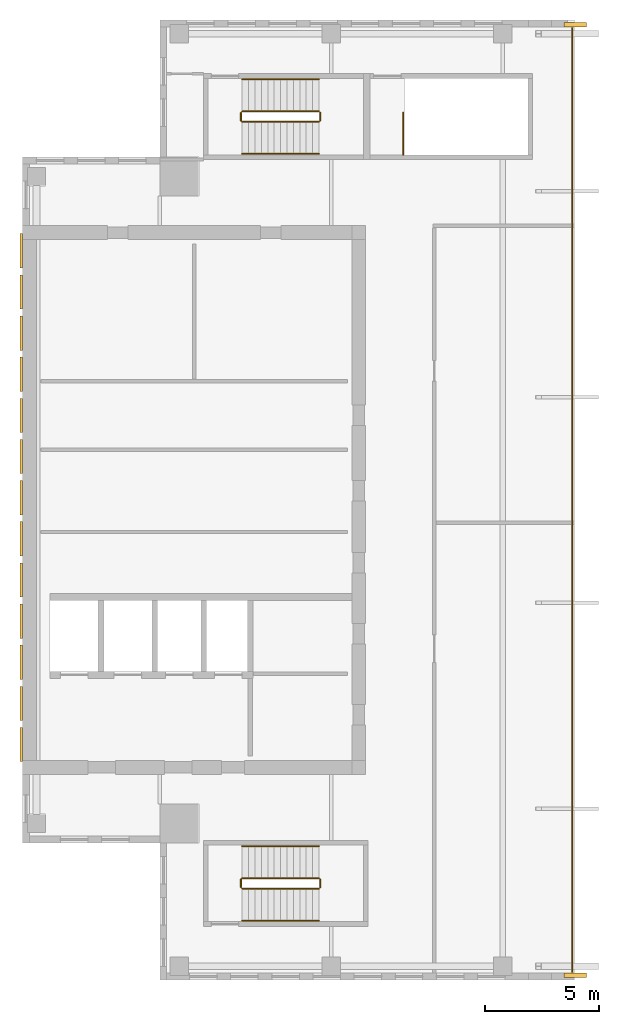
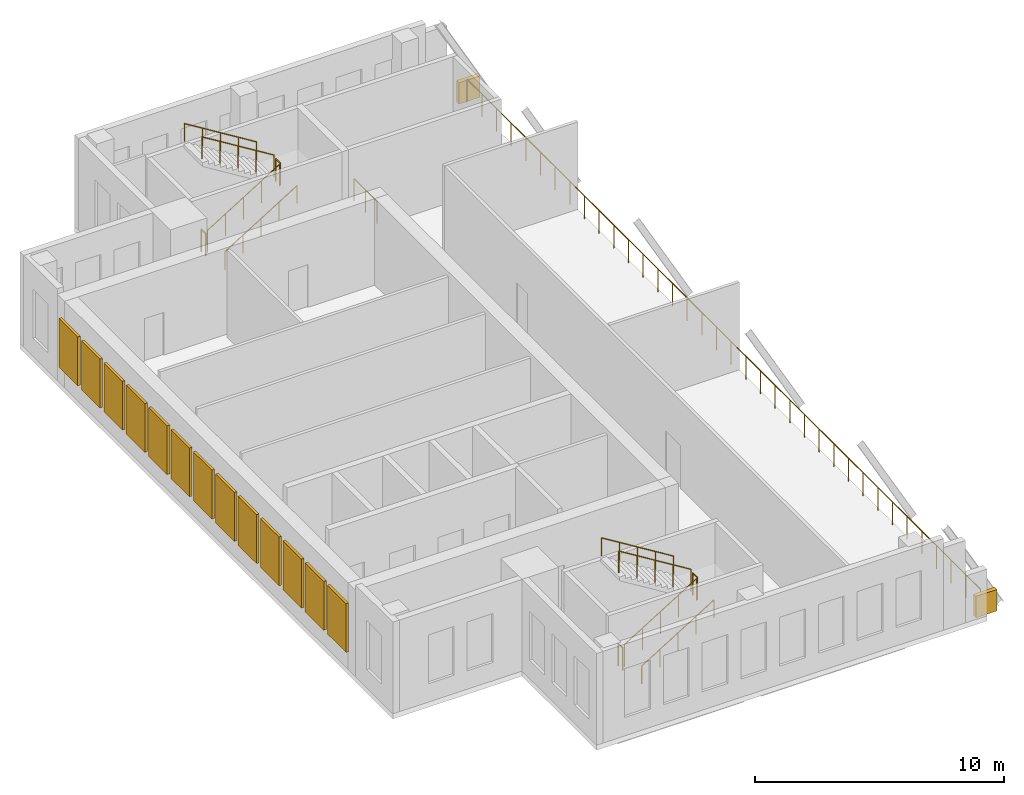
# One storey, part 5 of 5: 20 railings, 15 coverings.
"""IFC4 building model written with IfcOpenShell, lengths in metres."""

from ifc_helpers import new_model, si_unit, direction, frame, origin, origin_2d, place, context, subcontext, project, spatial, polyline, rectangle, circle, outline, extrude, source, transform, mapped, material, layer, layer_set, type_object, element, save


model = new_model("IFC4")

# Units and contexts
model_context = context("Model", 3, precision=1e-05, world=origin(), true_north=direction((0.0, 1.0)))
body_context = subcontext(model_context, "Body", "Model", "MODEL_VIEW")
ifc_project = project(units=[si_unit("LENGTHUNIT", "METRE"), si_unit("AREAUNIT", "SQUARE_METRE"), si_unit("VOLUMEUNIT", "CUBIC_METRE"), si_unit("PLANEANGLEUNIT", "RADIAN"), si_unit("MASSUNIT", "GRAM", prefix="KILO")], contexts=[model_context])

# Site, building, storey
site_placement = place(None, origin())
site = spatial("IfcSite", under=ifc_project, at=site_placement, CompositionType="ELEMENT")
building_placement = place(site_placement, origin())
building = spatial("IfcBuilding", under=site, at=building_placement, Name="Khomas Fold Tower", CompositionType="ELEMENT")
storey_placement = place(building_placement, frame((0.0, 0.0, 343.699951171875)))
storey = spatial("IfcBuildingStorey", under=building, at=storey_placement, Name="C4", CompositionType="ELEMENT", Elevation=343.699951171875)

# Coverings
ifc_material_1 = material(Name="Natural stone cladding", Category="masonry")
ifc_layer_1 = layer(ifc_material_1, 0.031982421875)
ifc_layer_set_1 = layer_set([ifc_layer_1], Name="Natural stone cladding")
covering_type_1 = type_object("IfcCoveringType", Name="Crown spandrel panel CR-SP", PredefinedType="CLADDING", material=ifc_layer_set_1)
for number, where, z_axis, x_axis, name in (
    (1, (29.679931640625, 6.10009765625, 0.0), (0.0, -1.0, 0.0), (1.0, 0.0, 0.0), "Crown eave fascia"),
    (2, (30.662353515625, 47.89990234375, 0.0), (0.0, 1.0, 0.0), (-1.0, 0.0, 0.0), "Crown eave fascia"),
):
    element("IfcCovering", number, at=place(storey_placement, frame(where, z_axis=z_axis, x_axis=x_axis)), inside=storey, type_object=covering_type_1, Name=name, PredefinedType="CLADDING", context=body_context, shape_type="SweptSolid", body=[
        extrude(outline(polyline([(0.0, 0.0), (0.982421875, 0.0), (0.982421875, 1.050048828125), (0.0, 1.050048828125), (0.0, 0.0)])), origin(), (0.0, 0.0, -1.0), 0.199951171875),
    ])
ifc_material_2 = material(Name="Aluminium louvre", Category="aluminium")
ifc_layer_2 = layer(ifc_material_2, 0.1201171875)
ifc_layer_set_2 = layer_set([ifc_layer_2], Name="Aluminium louvre")
covering_type_2 = type_object("IfcCoveringType", Name="Crown louvre screen CR-LS", PredefinedType="CLADDING", material=ifc_layer_set_2)
shared_shape_1 = source(origin(), body_context, "Body", "SweptSolid", [
    extrude(rectangle(XDim=1.5, YDim=0.1201171875, at=origin_2d()), origin(), (0.0, 0.0, 1.0), 2.39990234375),
])
for number, where, z_axis, x_axis, name in (
    (3, (5.93994140625, 37.900146484375, 0.900146484375), (0.0, 0.0, 1.0), (0.0, -1.0, 0.0), "Crown louvre screen"),
    (4, (5.93994140625, 36.10009765625, 0.900146484375), (0.0, 0.0, 1.0), (0.0, -1.0, 0.0), "Crown louvre screen"),
    (5, (5.93994140625, 34.300048828125, 0.900146484375), (0.0, 0.0, 1.0), (0.0, -1.0, 0.0), "Crown louvre screen"),
    (6, (5.93994140625, 32.5, 0.900146484375), (0.0, 0.0, 1.0), (0.0, -1.0, 0.0), "Crown louvre screen"),
    (7, (5.93994140625, 30.7001953125, 0.900146484375), (0.0, 0.0, 1.0), (0.0, -1.0, 0.0), "Crown louvre screen"),
    (8, (5.93994140625, 28.900146484375, 0.900146484375), (0.0, 0.0, 1.0), (0.0, -1.0, 0.0), "Crown louvre screen"),
    (9, (5.93994140625, 27.10009765625, 0.900146484375), (0.0, 0.0, 1.0), (0.0, -1.0, 0.0), "Crown louvre screen"),
    (10, (5.93994140625, 25.300048828125, 0.900146484375), (0.0, 0.0, 1.0), (0.0, -1.0, 0.0), "Crown louvre screen"),
    (11, (5.93994140625, 23.5, 0.900146484375), (0.0, 0.0, 1.0), (0.0, -1.0, 0.0), "Crown louvre screen"),
    (12, (5.93994140625, 21.7001953125, 0.900146484375), (0.0, 0.0, 1.0), (0.0, -1.0, 0.0), "Crown louvre screen"),
    (13, (5.93994140625, 19.900146484375, 0.900146484375), (0.0, 0.0, 1.0), (0.0, -1.0, 0.0), "Crown louvre screen"),
    (14, (5.93994140625, 18.10009765625, 0.900146484375), (0.0, 0.0, 1.0), (0.0, -1.0, 0.0), "Crown louvre screen"),
    (15, (5.93994140625, 16.300048828125, 0.900146484375), (0.0, 0.0, 1.0), (0.0, -1.0, 0.0), "Crown louvre screen"),
):
    element("IfcCovering", number, at=place(storey_placement, frame(where, z_axis=z_axis, x_axis=x_axis)), inside=storey, type_object=covering_type_2, Name=name, PredefinedType="CLADDING", context=body_context, shape_type="MappedRepresentation", body=[
        mapped(shared_shape_1, transform((0.0, 0.0, 0.0))),
    ])

# Railings
ifc_material_3 = material(Name="Powder-coated steel", Category="steel")
railing_type_1 = type_object("IfcRailingType", Name="Balcony guard", PredefinedType="GUARDRAIL", material=ifc_material_3)
shared_shape_2 = source(origin(), body_context, "Body", "SweptSolid", [
    extrude(circle(Radius=0.02490234375, at=origin_2d()), frame((0.0, 0.0, 1.125), z_axis=(0.0, 1.0, 0.0), x_axis=(-1.0, 0.0, 0.0)), (0.0, 0.0, 1.0), 5.89990234375),
    extrude(circle(Radius=0.02001953125, at=origin_2d()), origin(), (0.0, 0.0, 1.0), 1.099853515625),
    extrude(circle(Radius=0.02001953125, at=origin_2d()), frame((0.0, 1.179931640625, 0.0)), (0.0, 0.0, 1.0), 1.099853515625),
    extrude(circle(Radius=0.02001953125, at=origin_2d()), frame((0.0, 2.35986328125, 0.0)), (0.0, 0.0, 1.0), 1.099853515625),
    extrude(circle(Radius=0.02001953125, at=origin_2d()), frame((0.0, 3.5400390625, 0.0)), (0.0, 0.0, 1.0), 1.099853515625),
    extrude(circle(Radius=0.02001953125, at=origin_2d()), frame((0.0, 4.719970703125, 0.0)), (0.0, 0.0, 1.0), 1.099853515625),
    extrude(circle(Radius=0.02001953125, at=origin_2d()), frame((0.0, 5.89990234375, 0.0)), (0.0, 0.0, 1.0), 1.099853515625),
])
for number, where, name in (
    (16, (30.038330078125, 6.35009765625, 0.0), "GUARD 231"),
    (17, (30.038330078125, 12.25, 0.0), "GUARD 231"),
    (18, (30.038330078125, 24.050048828125, 0.0), "GUARD 231"),
    (19, (30.038330078125, 35.85009765625, 0.0), "GUARD 231"),
    (20, (30.038330078125, 41.75, 0.0), "GUARD 231"),
):
    element("IfcRailing", number, at=place(storey_placement, frame(where)), inside=storey, type_object=railing_type_1, Name=name, PredefinedType="GUARDRAIL", context=body_context, shape_type="MappedRepresentation", body=[
        mapped(shared_shape_2, transform((0.0, 0.0, 0.0))),
    ])
shared_shape_3 = source(origin(), body_context, "Body", "SweptSolid", [
    extrude(circle(Radius=0.02490234375, at=origin_2d()), frame((0.0, 0.0, 1.125), z_axis=(0.0, 1.0, 0.0), x_axis=(-1.0, 0.0, 0.0)), (0.0, 0.0, 1.0), 5.900146484375),
    extrude(circle(Radius=0.02001953125, at=origin_2d()), origin(), (0.0, 0.0, 1.0), 1.099853515625),
    extrude(circle(Radius=0.02001953125, at=origin_2d()), frame((0.0, 1.179931640625, 0.0)), (0.0, 0.0, 1.0), 1.099853515625),
    extrude(circle(Radius=0.02001953125, at=origin_2d()), frame((0.0, 2.360107421875, 0.0)), (0.0, 0.0, 1.0), 1.099853515625),
    extrude(circle(Radius=0.02001953125, at=origin_2d()), frame((0.0, 3.5400390625, 0.0)), (0.0, 0.0, 1.0), 1.099853515625),
    extrude(circle(Radius=0.02001953125, at=origin_2d()), frame((0.0, 4.72021484375, 0.0)), (0.0, 0.0, 1.0), 1.099853515625),
    extrude(circle(Radius=0.02001953125, at=origin_2d()), frame((0.0, 5.900146484375, 0.0)), (0.0, 0.0, 1.0), 1.099853515625),
])
for number, where, name in (
    (21, (30.038330078125, 18.14990234375, 0.0), "GUARD 231"),
    (22, (30.038330078125, 29.949951171875, 0.0), "GUARD 231"),
):
    element("IfcRailing", number, at=place(storey_placement, frame(where)), inside=storey, type_object=railing_type_1, Name=name, PredefinedType="GUARDRAIL", context=body_context, shape_type="MappedRepresentation", body=[
        mapped(shared_shape_3, transform((0.0, 0.0, 0.0))),
    ])
ifc_material_4 = material(Name="Steel balustrade", Category="steel")
railing_type_2 = type_object("IfcRailingType", Name="Stair guard", PredefinedType="GUARDRAIL", material=ifc_material_4)
shared_shape_4 = source(origin(), body_context, "Body", "SweptSolid", [
    extrude(circle(Radius=0.02392578125, at=origin_2d()), frame((0.0, 0.0, 1.076171875), z_axis=(0.850606129759, 0.0, 0.525803396734), x_axis=(0.0, 1.0, 0.0)), (0.0, 0.0, 1.0), 3.949951171875),
    extrude(circle(Radius=0.02099609375, at=origin_2d()), origin(), (0.0, 0.0, 1.0), 1.052001953125),
    extrude(circle(Radius=0.02099609375, at=origin_2d()), frame((0.83984375, 0.0, 0.519287109375)), (0.0, 0.0, 1.0), 1.052001953125),
    extrude(circle(Radius=0.02099609375, at=origin_2d()), frame((1.679931640625, 0.0, 1.03857421875)), (0.0, 0.0, 1.0), 1.052001953125),
    extrude(circle(Radius=0.02099609375, at=origin_2d()), frame((2.52001953125, 0.0, 1.5576171875)), (0.0, 0.0, 1.0), 1.052001953125),
    extrude(circle(Radius=0.02099609375, at=origin_2d()), frame((3.35986328125, 0.0, 2.076904296875)), (0.0, 0.0, 1.0), 1.052001953125),
])
for number, where, name in (
    (23, (15.60009765625, 43.550048828125, 0.173095703125), "C4 ST1 stair guard 1"),
    (24, (15.60009765625, 10.0, 0.173095703125), "C4 ST2 stair guard 1"),
):
    element("IfcRailing", number, at=place(storey_placement, frame(where)), inside=storey, type_object=railing_type_2, Name=name, PredefinedType="GUARDRAIL", context=body_context, shape_type="MappedRepresentation", body=[
        mapped(shared_shape_4, transform((0.0, 0.0, 0.0))),
    ])
shared_shape_5 = source(origin(), body_context, "Body", "SweptSolid", [
    extrude(circle(Radius=0.02392578125, at=origin_2d()), frame((0.0, 0.0, 1.076171875), z_axis=(0.0, 1.0, 0.0), x_axis=(-1.0, 0.0, 0.0)), (0.0, 0.0, 1.0), 0.349853515625),
    extrude(circle(Radius=0.02099609375, at=origin_2d()), origin(), (0.0, 0.0, 1.0), 1.052001953125),
    extrude(circle(Radius=0.02099609375, at=origin_2d()), frame((0.0, 0.349853515625, 0.0)), (0.0, 0.0, 1.0), 1.052001953125),
])
for number, where, name in (
    (25, (19.010009765625, 43.60009765625, 2.25), "C4 ST1 stair guard 2"),
    (26, (15.550048828125, 43.60009765625, 0.0), "C4 ST1 stair guard 4"),
    (27, (19.010009765625, 10.050048828125, 2.25), "C4 ST2 stair guard 2"),
    (28, (15.550048828125, 10.050048828125, 0.0), "C4 ST2 stair guard 4"),
):
    element("IfcRailing", number, at=place(storey_placement, frame(where)), inside=storey, type_object=railing_type_2, Name=name, PredefinedType="GUARDRAIL", context=body_context, shape_type="MappedRepresentation", body=[
        mapped(shared_shape_5, transform((0.0, 0.0, 0.0))),
    ])
shared_shape_6 = source(origin(), body_context, "Body", "SweptSolid", [
    extrude(circle(Radius=0.02392578125, at=origin_2d()), frame((0.0, 0.0, 1.076171875), z_axis=(-0.850606129759, 0.0, 0.525803396734), x_axis=(0.0, -1.0, 0.0)), (0.0, 0.0, 1.0), 3.949951171875),
    extrude(circle(Radius=0.02099609375, at=origin_2d()), origin(), (0.0, 0.0, 1.0), 1.052001953125),
    extrude(circle(Radius=0.02099609375, at=origin_2d()), frame((-0.83984375, 0.0, 0.519287109375)), (0.0, 0.0, 1.0), 1.052001953125),
    extrude(circle(Radius=0.02099609375, at=origin_2d()), frame((-1.679931640625, 0.0, 1.03857421875)), (0.0, 0.0, 1.0), 1.052001953125),
    extrude(circle(Radius=0.02099609375, at=origin_2d()), frame((-2.52001953125, 0.0, 1.5576171875)), (0.0, 0.0, 1.0), 1.052001953125),
    extrude(circle(Radius=0.02099609375, at=origin_2d()), frame((-3.35986328125, 0.0, 2.076904296875)), (0.0, 0.0, 1.0), 1.052001953125),
])
for number, where, name in (
    (29, (18.9599609375, 44.0, 2.423095703125), "C4 ST1 stair guard 3"),
    (30, (18.9599609375, 10.449951171875, 2.423095703125), "C4 ST2 stair guard 3"),
):
    element("IfcRailing", number, at=place(storey_placement, frame(where)), inside=storey, type_object=railing_type_2, Name=name, PredefinedType="GUARDRAIL", context=body_context, shape_type="MappedRepresentation", body=[
        mapped(shared_shape_6, transform((0.0, 0.0, 0.0))),
    ])
ifc_material_5 = material(Name="Steel handrail", Category="steel")
railing_type_3 = type_object("IfcRailingType", Name="Stair handrail", PredefinedType="HANDRAIL", material=ifc_material_5)
shared_shape_7 = source(origin(), body_context, "Body", "SweptSolid", [
    extrude(circle(Radius=0.02392578125, at=origin_2d()), frame((0.0, 0.0, 0.8759765625), z_axis=(0.850606129759, 0.0, 0.525803396734), x_axis=(0.0, 1.0, 0.0)), (0.0, 0.0, 1.0), 3.949951171875),
    extrude(circle(Radius=0.02099609375, at=origin_2d()), origin(), (0.0, 0.0, 1.0), 0.851806640625),
    extrude(circle(Radius=0.02099609375, at=origin_2d()), frame((0.83984375, 0.0, 0.519287109375)), (0.0, 0.0, 1.0), 0.851806640625),
    extrude(circle(Radius=0.02099609375, at=origin_2d()), frame((1.679931640625, 0.0, 1.03857421875)), (0.0, 0.0, 1.0), 0.851806640625),
    extrude(circle(Radius=0.02099609375, at=origin_2d()), frame((2.52001953125, 0.0, 1.5576171875)), (0.0, 0.0, 1.0), 0.851806640625),
    extrude(circle(Radius=0.02099609375, at=origin_2d()), frame((3.35986328125, 0.0, 2.076904296875)), (0.0, 0.0, 1.0), 0.851806640625),
])
for number, where, name in (
    (31, (15.60009765625, 42.14990234375, 0.173095703125), "C4 ST1 stair handrail 1"),
    (32, (15.60009765625, 8.60009765625, 0.173095703125), "C4 ST2 stair handrail 1"),
):
    element("IfcRailing", number, at=place(storey_placement, frame(where)), inside=storey, type_object=railing_type_3, Name=name, PredefinedType="HANDRAIL", context=body_context, shape_type="MappedRepresentation", body=[
        mapped(shared_shape_7, transform((0.0, 0.0, 0.0))),
    ])
shared_shape_8 = source(origin(), body_context, "Body", "SweptSolid", [
    extrude(circle(Radius=0.02392578125, at=origin_2d()), frame((0.0, 0.0, 0.8759765625), z_axis=(-0.850606129759, 0.0, 0.525803396734), x_axis=(0.0, -1.0, 0.0)), (0.0, 0.0, 1.0), 3.949951171875),
    extrude(circle(Radius=0.02099609375, at=origin_2d()), origin(), (0.0, 0.0, 1.0), 0.851806640625),
    extrude(circle(Radius=0.02099609375, at=origin_2d()), frame((-0.83984375, 0.0, 0.519287109375)), (0.0, 0.0, 1.0), 0.851806640625),
    extrude(circle(Radius=0.02099609375, at=origin_2d()), frame((-1.679931640625, 0.0, 1.03857421875)), (0.0, 0.0, 1.0), 0.851806640625),
    extrude(circle(Radius=0.02099609375, at=origin_2d()), frame((-2.52001953125, 0.0, 1.5576171875)), (0.0, 0.0, 1.0), 0.851806640625),
    extrude(circle(Radius=0.02099609375, at=origin_2d()), frame((-3.35986328125, 0.0, 2.076904296875)), (0.0, 0.0, 1.0), 0.851806640625),
])
for number, where, name in (
    (33, (18.9599609375, 45.39990234375, 2.423095703125), "C4 ST1 stair handrail 2"),
    (34, (18.9599609375, 11.85009765625, 2.423095703125), "C4 ST2 stair handrail 2"),
):
    element("IfcRailing", number, at=place(storey_placement, frame(where)), inside=storey, type_object=railing_type_3, Name=name, PredefinedType="HANDRAIL", context=body_context, shape_type="MappedRepresentation", body=[
        mapped(shared_shape_8, transform((0.0, 0.0, 0.0))),
    ])
shared_shape_9 = source(origin(), body_context, "Body", "SweptSolid", [
    extrude(circle(Radius=0.02392578125, at=origin_2d()), frame((0.0, 0.0, 1.076171875), z_axis=(0.0, 1.0, 0.0), x_axis=(-1.0, 0.0, 0.0)), (0.0, 0.0, 1.0), 1.849853515625),
    extrude(circle(Radius=0.02099609375, at=origin_2d()), origin(), (0.0, 0.0, 1.0), 1.052001953125),
    extrude(circle(Radius=0.02099609375, at=origin_2d()), frame((0.0, 0.9248046875, 0.0)), (0.0, 0.0, 1.0), 1.052001953125),
    extrude(circle(Radius=0.02099609375, at=origin_2d()), frame((0.0, 1.849853515625, 0.0)), (0.0, 0.0, 1.0), 1.052001953125),
])
railing_placement = place(storey_placement, frame((22.64990234375, 42.10009765625, 0.0)))
element("IfcRailing", 35, at=railing_placement, inside=storey, type_object=railing_type_2, Name="C4 ST3 top well guard 1", PredefinedType="GUARDRAIL", context=body_context, shape_type="MappedRepresentation", body=[
    mapped(shared_shape_9, transform((0.0, 0.0, 0.0))),
])

save(model, "model.ifc")
